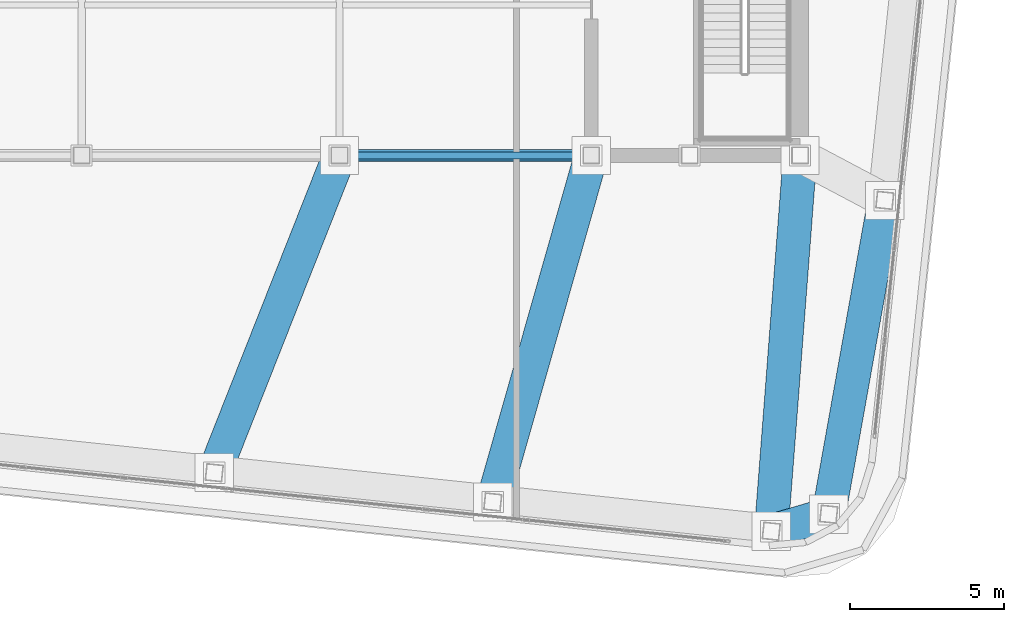
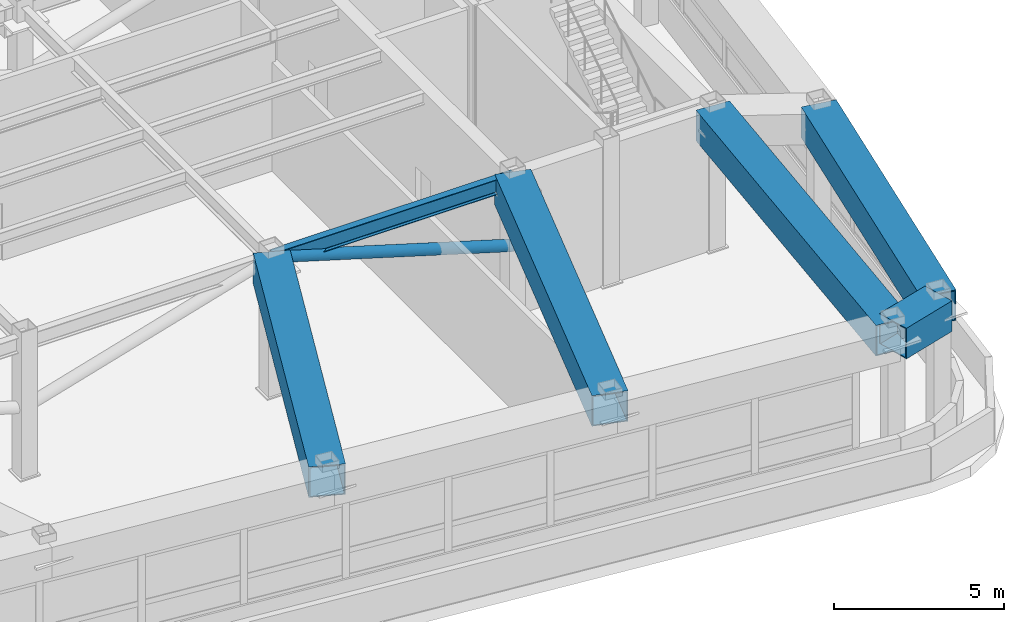
# One storey, part 8 of 22: 6 beams, 1 member.
"""IFC4 building model written with IfcOpenShell, lengths in metres."""

from ifc_helpers import new_model, si_unit, direction, frame, origin, origin_2d, place, context, subcontext, project, spatial, hollow_rectangle, hollow_circle, i_section, extrude, material, material_profile, profile_set, type_object, element, save


model = new_model("IFC4")

# Units and contexts
model_context = context("Model", 3, precision=1e-05, world=origin(), true_north=direction((0.0, 1.0)))
body_context = subcontext(model_context, "Body", "Model", "MODEL_VIEW")
ifc_project = project(units=[si_unit("LENGTHUNIT", "METRE"), si_unit("AREAUNIT", "SQUARE_METRE"), si_unit("VOLUMEUNIT", "CUBIC_METRE"), si_unit("PLANEANGLEUNIT", "RADIAN"), si_unit("MASSUNIT", "GRAM", prefix="KILO")], contexts=[model_context])

# Site, building, storey
site_placement = place(None, origin())
site = spatial("IfcSite", under=ifc_project, at=site_placement, CompositionType="ELEMENT")
building_placement = place(site_placement, origin())
building = spatial("IfcBuilding", under=site, at=building_placement, Name="Voryun Gate Residences", CompositionType="ELEMENT")
storey_placement = place(building_placement, frame((0.0, 0.0, 310.699951171875)))
storey = spatial("IfcBuildingStorey", under=building, at=storey_placement, Name="L77", CompositionType="ELEMENT", Elevation=310.699951171875)

# Beams
ifc_material_1 = material(Name="Steel SM420", Category="steel")
ifc_material_profile_1 = material_profile(ifc_material_1, hollow_rectangle(XDim=1.10009765625, YDim=1.10009765625, WallThickness=0.035888671875, at=origin_2d()), Name="BOX-1100x1100x36")
ifc_profile_set_1 = profile_set([ifc_material_profile_1], Name="Steel SM420")
beam_type_1 = type_object("IfcBeamType", Name="BM_ARCH_RIB", PredefinedType="USERDEFINED", material=ifc_profile_set_1)
beam_1_placement = place(storey_placement, frame((18.261474609375, -19.63818359375, 4.47509765625), z_axis=(0.958835963288, 0.283960552728, 0.0), x_axis=(-0.283960552728, 0.958835963288, 0.0)))
element("IfcBeam", 1, at=beam_1_placement, inside=storey, type_object=beam_type_1, Name="BM-L77-SPAND-06", ObjectType="GIRDER", PredefinedType="USERDEFINED", context=body_context, shape_type="SweptSolid", body=[
    extrude(hollow_rectangle(XDim=1.10009765625, YDim=1.10009765625, WallThickness=0.035888671875, at=origin_2d()), origin(), (0.0, 0.0, 1.0), 1.95166015625),
])
beam_2_placement = place(storey_placement, frame((20.1328125, -19.083984375, 4.47509765625), z_axis=(0.175791452213, 0.984427430199, 0.0), x_axis=(-0.984427430199, 0.175791452213, 0.0)))
element("IfcBeam", 2, at=beam_2_placement, inside=storey, type_object=beam_type_1, Name="BM-L77-SPAND-07", ObjectType="GIRDER", PredefinedType="USERDEFINED", context=body_context, shape_type="SweptSolid", body=[
    extrude(hollow_rectangle(XDim=1.10009765625, YDim=1.10009765625, WallThickness=0.035888671875, at=origin_2d()), origin(), (0.0, 0.0, 1.0), 10.384033203125),
])
beam_3_placement = place(storey_placement, frame((4.199951171875, -7.39990234375, 4.47509765625), z_axis=(-0.367188053127, -0.930146726942, 0.0), x_axis=(0.930146726942, -0.367188053127, 0.0)))
element("IfcBeam", 3, at=beam_3_placement, inside=storey, type_object=beam_type_1, Name="BM-L77-RAD-S4", ObjectType="GIRDER", PredefinedType="USERDEFINED", context=body_context, shape_type="SweptSolid", body=[
    extrude(hollow_rectangle(XDim=1.10009765625, YDim=1.10009765625, WallThickness=0.035888671875, at=origin_2d()), origin(), (0.0, 0.0, 1.0), 11.107666015625),
])
beam_4_placement = place(storey_placement, frame((12.39990234375, -7.39990234375, 4.47509765625), z_axis=(-0.273478609988, -0.961878084727, 0.0), x_axis=(0.961878084727, -0.273478609988, 0.0)))
element("IfcBeam", 4, at=beam_4_placement, inside=storey, type_object=beam_type_1, Name="BM-L77-RAD-S5", ObjectType="GIRDER", PredefinedType="USERDEFINED", context=body_context, shape_type="SweptSolid", body=[
    extrude(hollow_rectangle(XDim=1.10009765625, YDim=1.10009765625, WallThickness=0.035888671875, at=origin_2d()), origin(), (0.0, 0.0, 1.0), 11.732177734375),
])
beam_5_placement = place(storey_placement, frame((19.199951171875, -7.39990234375, 4.47509765625), z_axis=(-0.076459214337, -0.997072709757, 0.0), x_axis=(0.997072709757, -0.076459214337, 0.0)))
element("IfcBeam", 5, at=beam_5_placement, inside=storey, type_object=beam_type_1, Name="BM-L77-RAD-S6", ObjectType="GIRDER", PredefinedType="USERDEFINED", context=body_context, shape_type="SweptSolid", body=[
    extrude(hollow_rectangle(XDim=1.10009765625, YDim=1.10009765625, WallThickness=0.035888671875, at=origin_2d()), origin(), (0.0, 0.0, 1.0), 12.274169921875),
])
ifc_material_2 = material(Name="Steel SM355", Category="steel")
ifc_material_profile_2 = material_profile(ifc_material_2, i_section(OverallWidth=0.239990234375, OverallDepth=0.550048828125, WebThickness=0.011962890625, FlangeThickness=0.02001953125, FilletRadius=0.01806640625, at=origin_2d()), Name="H-550x240x12x20")
ifc_profile_set_2 = profile_set([ifc_material_profile_2], Name="Steel SM355")
beam_type_2 = type_object("IfcBeamType", Name="BM_GIRD_550", PredefinedType="USERDEFINED", material=ifc_profile_set_2)
beam_6_placement = place(storey_placement, frame((4.199951171875, -7.39990234375, 4.75), z_axis=(1.0, 0.0, 0.0), x_axis=(0.0, 1.0, 0.0)))
element("IfcBeam", 6, at=beam_6_placement, inside=storey, type_object=beam_type_2, Name="BM-L77-SPG3-S", ObjectType="GIRDER", PredefinedType="USERDEFINED", context=body_context, shape_type="SweptSolid", body=[
    extrude(i_section(OverallWidth=0.239990234375, OverallDepth=0.550048828125, WebThickness=0.011962890625, FlangeThickness=0.02001953125, FilletRadius=0.01806640625, at=origin_2d()), origin(), (0.0, 0.0, 1.0), 8.199951171875),
])

# Member
ifc_material_3 = material(Name="Steel SM355", Category="steel")
ifc_material_profile_3 = material_profile(ifc_material_3, hollow_circle(Radius=0.18994140625, WallThickness=0.01806640625, at=origin_2d()), Name="CHS-380x18")
ifc_profile_set_3 = profile_set([ifc_material_profile_3], Name="Steel SM355")
member_type = type_object("IfcMemberType", Name="MBR_CROWN_DIAGRID", PredefinedType="BRACE", material=ifc_profile_set_3)
member_placement = place(storey_placement, frame((12.39990234375, -7.39990234375, 2.380126953125), z_axis=(-0.957669975605, 0.0, 0.287868403659), x_axis=(0.0, -1.0, 0.0)))
element("IfcMember", 7, at=member_placement, inside=storey, type_object=member_type, Name="L77 Lantern Spine Diagrid Brace 03", PredefinedType="BRACE", context=body_context, shape_type="SweptSolid", body=[
    extrude(hollow_circle(Radius=0.18994140625, WallThickness=0.01806640625, at=origin_2d()), origin(), (0.0, 0.0, 1.0), 8.5625),
])

save(model, "model.ifc")
